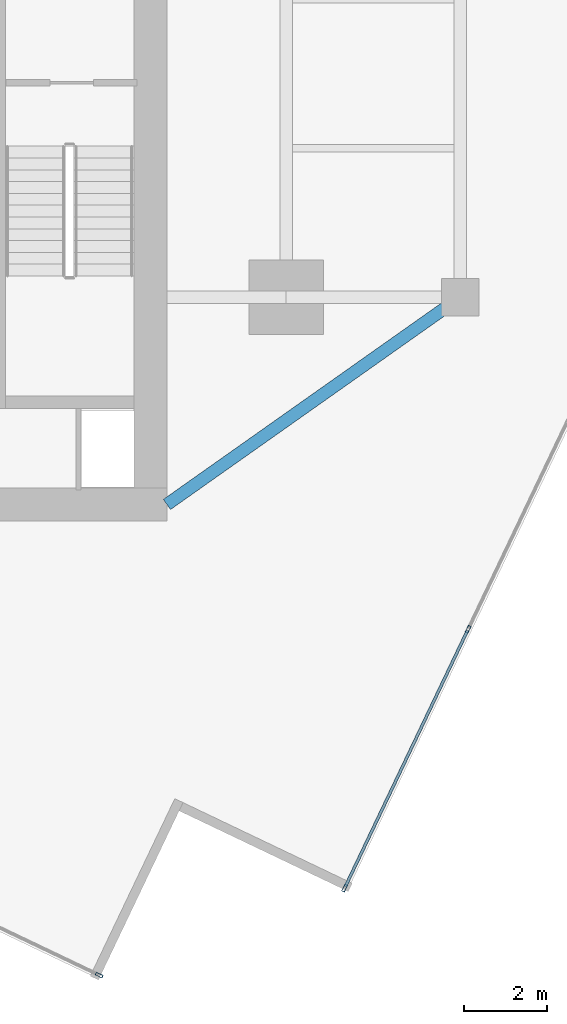
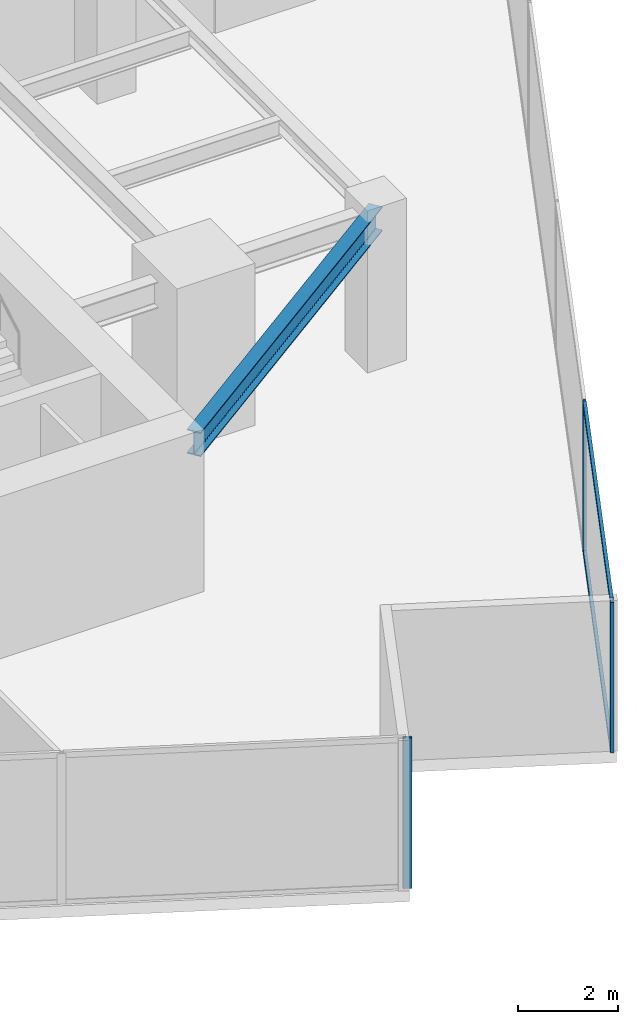
# One storey, part 9 of 25: 5 members, 1 beam, 2 elements without a shape of their own.
"""IFC4 building model written with IfcOpenShell, lengths in metres."""

from ifc_helpers import new_model, si_unit, direction, frame, origin, origin_2d, place, context, subcontext, project, spatial, hollow_rectangle, i_section, extrude, source, transform, mapped, material, material_profile, profile_set, type_object, type_shapes, element, aggregate, save


model = new_model("IFC4")

# Units and contexts
model_context = context("Model", 3, precision=1e-05, world=origin(), true_north=direction((0.0, 1.0)))
body_context = subcontext(model_context, "Body", "Model", "MODEL_VIEW")
ifc_project = project(units=[si_unit("LENGTHUNIT", "METRE"), si_unit("AREAUNIT", "SQUARE_METRE"), si_unit("VOLUMEUNIT", "CUBIC_METRE"), si_unit("PLANEANGLEUNIT", "RADIAN"), si_unit("MASSUNIT", "GRAM", prefix="KILO")], contexts=[model_context])

# Site, building, storey
site_placement = place(None, origin())
site = spatial("IfcSite", under=ifc_project, at=site_placement, CompositionType="ELEMENT")
building_placement = place(site_placement, origin())
building = spatial("IfcBuilding", under=site, at=building_placement, Name="Krantzveldt Concourse Tower", CompositionType="ELEMENT")
storey_placement = place(building_placement, frame((0.0, 0.0, 146.199951171875)))
storey = spatial("IfcBuildingStorey", under=building, at=storey_placement, Name="L35", CompositionType="ELEMENT", Elevation=146.199951171875)

# Beam
ifc_material_1 = material(Name="Steel S355JR", Category="steel")
ifc_material_profile_1 = material_profile(ifc_material_1, i_section(OverallWidth=0.300048828125, OverallDepth=0.590087890625, WebThickness=0.012939453125, FlangeThickness=0.02490234375, FilletRadius=0.027099609375, at=origin_2d()), Name="Steel S355JR", Category="steel")
ifc_profile_set_1 = profile_set([ifc_material_profile_1], Name="Steel S355JR - HEA 600")
beam_type = type_object("IfcBeamType", Name="BM-B-HEA600", PredefinedType="BEAM", material=ifc_profile_set_1)
shared_shape_1 = source(origin(), body_context, "Body", "SweptSolid", [
    extrude(i_section(OverallWidth=0.300048828125, OverallDepth=0.590087890625, WebThickness=0.012939453125, FlangeThickness=0.02490234375, FilletRadius=0.027099609375, at=origin_2d()), origin(), (0.0, 0.0, 1.0), 8.667724609375),
])
type_shapes(beam_type, [shared_shape_1])
beam_placement = place(storey_placement, frame((51.0, 15.89990234375, 3.375), z_axis=(-0.81684294656, -0.576860122261, 0.0), x_axis=(0.576860122261, -0.81684294656, 0.0)))
element("IfcBeam", 1, at=beam_placement, inside=storey, type_object=beam_type, Name="L35 Tower Girder BR-CSE", PredefinedType="BEAM", context=body_context, shape_type="MappedRepresentation", body=[
    mapped(shared_shape_1, transform((0.0, 0.0, 0.0), x_axis=(1.0, 0.0, 0.0), y_axis=(0.0, 1.0, 0.0), z_axis=(0.0, 0.0, 1.0), scale=1.0)),
])

# Curtain wall, member
ifc_material_2 = material(Name="Anodised aluminium 6063-T6", Category="aluminium")
curtain_wall_type = type_object("IfcCurtainWallType", Name="CW3", PredefinedType="USERDEFINED", material=ifc_material_2)
curtain_wall_1_placement = place(storey_placement, origin())
curtain_wall_1 = element("IfcCurtainWall", 2, at=curtain_wall_1_placement, inside=storey, type_object=curtain_wall_type, Name="CW-L35-F04", ObjectType="UNITISED CURTAIN WALL", PredefinedType="USERDEFINED")
ifc_material_profile_2 = material_profile(ifc_material_2, hollow_rectangle(XDim=0.070068359375, YDim=0.179931640625, WallThickness=0.0048828125, at=origin_2d()), Name="Anodised aluminium 6063-T6", Category="aluminium")
ifc_profile_set_2 = profile_set([ifc_material_profile_2], Name="Anodised aluminium 6063-T6 - ALU-MULL 180x70x5")
member_type_1 = type_object("IfcMemberType", Name="CW-MUL-180", PredefinedType="MULLION", material=ifc_profile_set_2)
shared_shape_2 = source(origin(), body_context, "Body", "SweptSolid", [
    extrude(hollow_rectangle(XDim=0.070068359375, YDim=0.179931640625, WallThickness=0.0048828125, at=origin_2d()), origin(), (0.0, 0.0, 1.0), 3.670166015625),
])
type_shapes(member_type_1, [shared_shape_2])
member_1_placement = place(storey_placement, frame((42.283935546875, -0.461181640625, 0.0), z_axis=(0.0, 0.0, 1.0), x_axis=(0.430511162987, 0.902585252784, 0.0)))
member_1 = element("IfcMember", 3, at=member_1_placement, type_object=member_type_1, Name="CW-Z34 mullion 6", PredefinedType="MULLION", context=body_context, shape_type="MappedRepresentation", body=[
    mapped(shared_shape_2, transform((0.0, 0.0, 0.0), x_axis=(1.0, 0.0, 0.0), y_axis=(0.0, 1.0, 0.0), z_axis=(0.0, 0.0, 1.0), scale=1.0)),
])
aggregate(curtain_wall_1, [member_1])

# Curtain wall, members
curtain_wall_2_placement = place(storey_placement, origin())
curtain_wall_2 = element("IfcCurtainWall", 4, at=curtain_wall_2_placement, inside=storey, type_object=curtain_wall_type, Name="CW-L35-F07", ObjectType="UNITISED CURTAIN WALL", PredefinedType="USERDEFINED")
member_2_placement = place(storey_placement, frame((48.20947265625, 1.63720703125, 0.0), z_axis=(0.0, 0.0, 1.0), x_axis=(-0.902585252784, 0.430511162987, 0.0)))
member_2 = element("IfcMember", 5, at=member_2_placement, type_object=member_type_1, Name="CW-Z34 mullion 1", PredefinedType="MULLION", context=body_context, shape_type="MappedRepresentation", body=[
    mapped(shared_shape_2, transform((0.0, 0.0, 0.0), x_axis=(1.0, 0.0, 0.0), y_axis=(0.0, 1.0, 0.0), z_axis=(0.0, 0.0, 1.0), scale=1.0)),
])
member_3_placement = place(storey_placement, frame((51.19091796875, 7.887451171875, 0.0), z_axis=(0.0, 0.0, 1.0), x_axis=(-0.902585252784, 0.430511162987, 0.0)))
member_3 = element("IfcMember", 6, at=member_3_placement, type_object=member_type_1, Name="CW-Z34 mullion 2", PredefinedType="MULLION", context=body_context, shape_type="MappedRepresentation", body=[
    mapped(shared_shape_2, transform((0.0, 0.0, 0.0), x_axis=(1.0, 0.0, 0.0), y_axis=(0.0, 1.0, 0.0), z_axis=(0.0, 0.0, 1.0), scale=1.0)),
])
ifc_material_profile_3 = material_profile(ifc_material_2, hollow_rectangle(XDim=0.070068359375, YDim=0.139892578125, WallThickness=0.0048828125, at=origin_2d()), Name="Anodised aluminium 6063-T6", Category="aluminium")
ifc_profile_set_3 = profile_set([ifc_material_profile_3], Name="Anodised aluminium 6063-T6 - ALU-TRAN 140x70x5")
member_type_2 = type_object("IfcMemberType", Name="CW-TRN-150", PredefinedType="USERDEFINED", material=ifc_profile_set_3)
shared_shape_3 = source(origin(), body_context, "Body", "SweptSolid", [
    extrude(hollow_rectangle(XDim=0.070068359375, YDim=0.139892578125, WallThickness=0.0048828125, at=origin_2d()), origin(), (0.0, 0.0, 1.0), 6.85498046875),
])
type_shapes(member_type_2, [shared_shape_3])
member_4_placement = place(storey_placement, frame((48.224609375, 1.668701171875, 0.03515625), z_axis=(0.430511360105, 0.902585158764, 0.0), x_axis=(-0.902585158764, 0.430511360105, 0.0)))
member_4 = element("IfcMember", 7, at=member_4_placement, type_object=member_type_2, Name="CW-Z34 transom 1.1", ObjectType="TRANSOM", PredefinedType="USERDEFINED", context=body_context, shape_type="MappedRepresentation", body=[
    mapped(shared_shape_3, transform((0.0, 0.0, 0.0), x_axis=(1.0, 0.0, 0.0), y_axis=(0.0, 1.0, 0.0), z_axis=(0.0, 0.0, 1.0), scale=1.0)),
])
member_5_placement = place(storey_placement, frame((48.224609375, 1.668701171875, 3.635009765625), z_axis=(0.430511360105, 0.902585158764, 0.0), x_axis=(-0.902585158764, 0.430511360105, 0.0)))
member_5 = element("IfcMember", 8, at=member_5_placement, type_object=member_type_2, Name="CW-Z34 transom 1.2", ObjectType="TRANSOM", PredefinedType="USERDEFINED", context=body_context, shape_type="MappedRepresentation", body=[
    mapped(shared_shape_3, transform((0.0, 0.0, 0.0), x_axis=(1.0, 0.0, 0.0), y_axis=(0.0, 1.0, 0.0), z_axis=(0.0, 0.0, 1.0), scale=1.0)),
])
aggregate(curtain_wall_2, [member_2, member_3, member_4, member_5])

save(model, "model.ifc")
